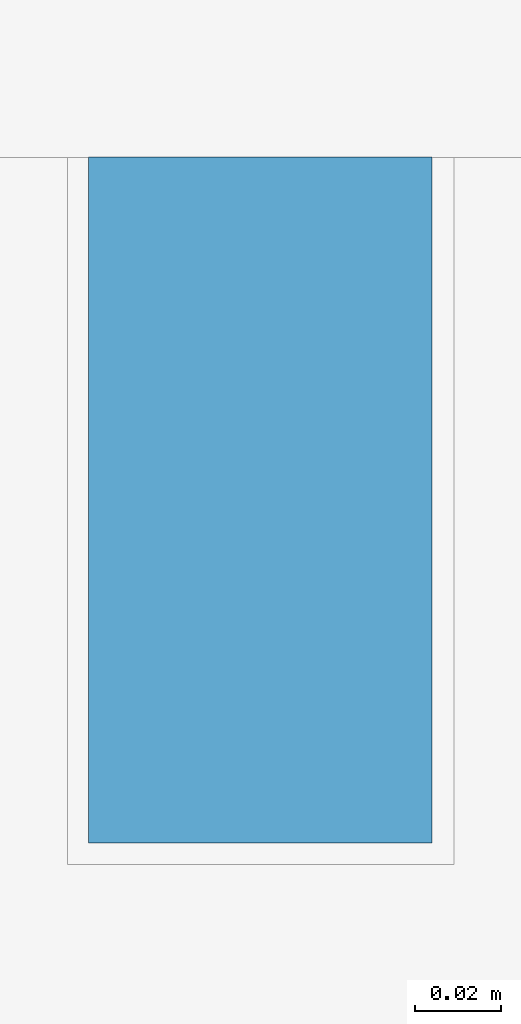
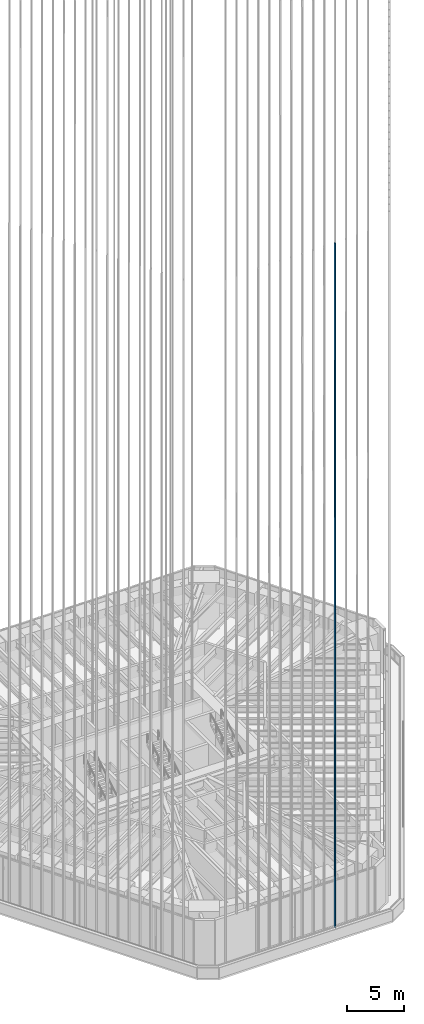
# One storey, part 69 of 228: 1 member, 1 element without a shape of its own.
"""IFC4 building model written with IfcOpenShell, lengths in metres."""

import ifcopenshell
import ifcopenshell.guid

model = None  # the IFC model being written
_history = None  # IfcOwnerHistory: only IFC2X3 demands one
_inside = {}  # id of a spatial element -> (the spatial element, [elements in it])
_under = {}  # id of a project, library or spatial element -> (it, [spatial elements below it])
_declared = {}  # id of a project -> (the project, [libraries it declares])
_typed = {}  # id of a type object -> (the type object, [elements of that type])
_made_of = {}  # id of a material, layer set ... -> (it, [elements and type objects made of it])


def new_model(schema):
    """Start an empty IFC model of exactly this schema.

    Asked for "IFC4X3", IfcOpenShell would pick the latest addendum, in which some entities
    have other attributes; the version numbers below select the first issue.
    IFC2X3 requires an IfcOwnerHistory on every rooted entity: one is made here for all.
    """
    global model, _history
    if schema == "IFC4X3":
        model = ifcopenshell.file(schema_version=(4, 3, 0, 0))
    else:
        model = ifcopenshell.file(schema=schema)
    _inside.clear()
    _under.clear()
    _declared.clear()
    _typed.clear()
    _made_of.clear()
    _history = None
    if model.schema == "IFC2X3":
        org = make("IfcOrganization", Name="unknown")
        user = make(
            "IfcPersonAndOrganization",
            ThePerson=make("IfcPerson", FamilyName="unknown"),
            TheOrganization=org,
        )
        app = make(
            "IfcApplication",
            ApplicationDeveloper=org,
            Version="unknown",
            ApplicationFullName="unknown",
            ApplicationIdentifier="unknown",
        )
        _history = make(
            "IfcOwnerHistory",
            OwningUser=user,
            OwningApplication=app,
            ChangeAction="ADDED",
            CreationDate=0,
        )
    return model


def make(cls, **values):
    """One entity of the class cls with the attributes given. An attribute that is None is left unset."""
    return model.create_entity(
        cls, **{name: value for name, value in values.items() if value is not None}
    )


def rooted(cls, **values):
    """An entity with a GlobalId (a new one), such as an element, a storey or a relation."""
    return make(cls, GlobalId=ifcopenshell.guid.new(), OwnerHistory=_history, **values)


def si_unit(unit_type, name, prefix=None):
    """IfcSIUnit, for example si_unit("LENGTHUNIT", "METRE", prefix="MILLI")."""
    return make("IfcSIUnit", UnitType=unit_type, Prefix=prefix, Name=name)


def assignment(units):
    """IfcUnitAssignment: the units of a project."""
    return None if units is None else make("IfcUnitAssignment", Units=units)


def point(xyz):
    """IfcCartesianPoint."""
    return None if xyz is None else make("IfcCartesianPoint", Coordinates=xyz)


def direction(xyz):
    """IfcDirection."""
    return None if xyz is None else make("IfcDirection", DirectionRatios=xyz)


def frame(location, z_axis=None, x_axis=None):
    """IfcAxis2Placement3D, a coordinate frame: its origin and axes. An axis left out is left unset."""
    return make(
        "IfcAxis2Placement3D",
        Location=point(location),
        Axis=direction(z_axis),
        RefDirection=direction(x_axis),
    )


def frame_2d(location, x_axis=None):
    """IfcAxis2Placement2D, a coordinate frame in the plane: its origin and x axis."""
    return make(
        "IfcAxis2Placement2D", Location=point(location), RefDirection=direction(x_axis)
    )


def origin():
    """The frame at (0, 0, 0) with its axes left unset."""
    return frame((0.0, 0.0, 0.0))


def origin_2d():
    """The frame at (0, 0) in the plane with its x axis left unset."""
    return frame_2d((0.0, 0.0))


def place(relative_to, where):
    """IfcLocalPlacement: puts the frame where relative to a parent placement (None: the world)."""
    return make(
        "IfcLocalPlacement", PlacementRelTo=relative_to, RelativePlacement=where
    )


def context(
    kind, dimensions, precision=None, world=None, true_north=None, identifier=None
):
    """IfcGeometricRepresentationContext, for example the 3D "Model" context."""
    return make(
        "IfcGeometricRepresentationContext",
        ContextIdentifier=identifier,
        ContextType=kind,
        CoordinateSpaceDimension=dimensions,
        Precision=precision,
        WorldCoordinateSystem=world,
        TrueNorth=true_north,
    )


def subcontext(parent, identifier, kind, view, scale=None):
    """IfcGeometricRepresentationSubContext, for example "Body" below "Model"."""
    return make(
        "IfcGeometricRepresentationSubContext",
        ContextIdentifier=identifier,
        ContextType=kind,
        ParentContext=parent,
        TargetScale=scale,
        TargetView=view,
    )


def project(units=None, contexts=None):
    """IfcProject with its units and contexts."""
    return rooted(
        "IfcProject",
        Name="project",
        RepresentationContexts=contexts,
        UnitsInContext=assignment(units),
    )


def spatial(cls, under=None, at=None, **own):
    """A site, building, storey or space (cls), placed at a placement, below another one or the project."""
    s = rooted(cls, ObjectPlacement=at, **own)
    if under is not None:
        _under.setdefault(under.id(), (under, []))[1].append(s)
    return s


def profile(cls, at=None, kind="AREA", **sizes):
    """A parametric profile (cls). Its sizes go by their IFC names, for example OverallWidth=200.0."""
    return make(cls, ProfileType=kind, Position=at, **sizes)


def rectangle(**sizes):
    """IfcRectangleProfileDef."""
    return profile("IfcRectangleProfileDef", **sizes)


def extrude(swept, where, along, depth):
    """IfcExtrudedAreaSolid: the profile swept, set in the frame where, extruded along a direction by depth."""
    return make(
        "IfcExtrudedAreaSolid",
        SweptArea=swept,
        Position=where,
        ExtrudedDirection=direction(along),
        Depth=depth,
    )


def shape(context_of_items, identifier, shape_type, items):
    """IfcShapeRepresentation: the items that make up one representation, for example the "Body"."""
    return make(
        "IfcShapeRepresentation",
        ContextOfItems=context_of_items,
        RepresentationIdentifier=identifier,
        RepresentationType=shape_type,
        Items=items,
    )


def material(Name=None, Category=None):
    """IfcMaterial."""
    return make("IfcMaterial", Name=Name, Category=Category)


def material_profile(
    of_material, cross_section, Name=None, Category=None, Priority=None
):
    """IfcMaterialProfile: a cross section and its material."""
    return make(
        "IfcMaterialProfile",
        Name=Name,
        Material=of_material,
        Profile=cross_section,
        Priority=Priority,
        Category=Category,
    )


def profile_set(profiles, Name=None, composite=None):
    """IfcMaterialProfileSet."""
    return make(
        "IfcMaterialProfileSet",
        Name=Name,
        MaterialProfiles=profiles,
        CompositeProfile=composite,
    )


def made_of(thing, what):
    """Note that an element or type object is made of a material, layer set ...; save() writes the relation."""
    if what is not None:
        _made_of.setdefault(what.id(), (what, []))[1].append(thing)
    return thing


def type_object(cls, material=None, **own):
    """A type object (cls), such as IfcWallType, which elements share."""
    return made_of(rooted(cls, **own), material)


def element(
    cls,
    number,
    at=None,
    inside=None,
    cuts=None,
    type_object=None,
    material=None,
    context=None,
    identifier="Body",
    shape_type=None,
    held_by="IfcProductDefinitionShape",
    body=None,
    shapes=None,
    **own,
):
    """One element of the class cls, such as IfcWall. Its Tag is "e" and its number.

    at: its placement. inside: the storey or other place that contains it. cuts: it is an
    opening in that element (IfcRelVoidsElement). A single representation is given by context,
    identifier, shape_type and body (its items); several are given by shapes. held_by: the class
    of the entity that holds the representations. save() writes the other relations.
    """
    e = rooted(cls, Tag="e%d" % number, ObjectPlacement=at, **own)
    if body is not None:
        shapes = [shape(context, identifier, shape_type, body)]
    if shapes is not None:
        e.Representation = make(held_by, Representations=shapes)
    if inside is not None:
        _inside.setdefault(inside.id(), (inside, []))[1].append(e)
    if cuts is not None:
        rooted(
            "IfcRelVoidsElement", RelatingBuildingElement=cuts, RelatedOpeningElement=e
        )
    if type_object is not None:
        _typed.setdefault(type_object.id(), (type_object, []))[1].append(e)
    return made_of(e, material)


def aggregate(whole, parts):
    """IfcRelAggregates: a whole, such as a stair, and the parts it consists of."""
    return rooted("IfcRelAggregates", RelatingObject=whole, RelatedObjects=parts)


def save(model, path):
    """Write the relations noted so far, then the file.

    IfcRelAggregates (storeys below a building ...), IfcRelContainedInSpatialStructure (elements
    in a storey), IfcRelDefinesByType, IfcRelAssociatesMaterial and IfcRelDeclares: one each for
    every whole, place, type object, material and project.
    """
    for whole, parts in _under.values():
        aggregate(whole, parts)
    for where, things in _inside.values():
        rooted(
            "IfcRelContainedInSpatialStructure",
            RelatedElements=things,
            RelatingStructure=where,
        )
    for kind, things in _typed.values():
        rooted("IfcRelDefinesByType", RelatedObjects=things, RelatingType=kind)
    for what, things in _made_of.values():
        rooted("IfcRelAssociatesMaterial", RelatedObjects=things, RelatingMaterial=what)
    for by, libraries in _declared.values():
        rooted("IfcRelDeclares", RelatingContext=by, RelatedDefinitions=libraries)
    model.write(path)


model = new_model("IFC4")

# Units and contexts
model_context = context("Model", 3, precision=1e-05, world=origin(), true_north=direction((0.0, 1.0)))
body_context = subcontext(model_context, "Body", "Model", "MODEL_VIEW")
ifc_project = project(units=[si_unit("LENGTHUNIT", "METRE"), si_unit("AREAUNIT", "SQUARE_METRE"), si_unit("VOLUMEUNIT", "CUBIC_METRE"), si_unit("PLANEANGLEUNIT", "RADIAN"), si_unit("MASSUNIT", "GRAM", prefix="KILO")], contexts=[model_context])

# Site, building, storey
site_placement = place(None, origin())
site = spatial("IfcSite", under=ifc_project, at=site_placement, CompositionType="ELEMENT")
building_placement = place(site_placement, origin())
building = spatial("IfcBuilding", under=site, at=building_placement, Name="Sandreach Pilgrim Tower", CompositionType="ELEMENT")
storey_placement = place(building_placement, frame((0.0, 0.0, 178.199951171875)))
storey = spatial("IfcBuildingStorey", under=building, at=storey_placement, Name="L44", CompositionType="ELEMENT", Elevation=178.199951171875)

# Curtain wall, member
ifc_material_1 = material(Name="Aluminium framed curtain wall", Category="aluminium")
curtain_wall_type = type_object("IfcCurtainWallType", Name="Upper hotel tower curtain wall", PredefinedType="NOTDEFINED", material=ifc_material_1)
curtain_wall_placement = place(storey_placement, origin())
curtain_wall = element("IfcCurtainWall", 1, at=curtain_wall_placement, inside=storey, type_object=curtain_wall_type, Name="CW-3 L44 SA", PredefinedType="NOTDEFINED")
ifc_material_2 = material(Name="Extruded terracotta on aluminium core", Category="masonry")
ifc_material_profile = material_profile(ifc_material_2, rectangle(XDim=0.080078125, YDim=0.159912109375, at=origin_2d()), Name="TBS 80X160")
ifc_profile_set = profile_set([ifc_material_profile], Name="Extruded terracotta on aluminium core")
member_type = type_object("IfcMemberType", Name="Terracotta baguette south", PredefinedType="USERDEFINED", material=ifc_profile_set)
member_placement = place(storey_placement, frame((3.881103515625, -26.905029296875, 0.0), z_axis=(0.0, 0.0, 1.0), x_axis=(-1.0, 0.0, 0.0)))
member = element("IfcMember", 2, at=member_placement, type_object=member_type, Name="Baguette Z3 S04", ObjectType="BAGUETTE", PredefinedType="USERDEFINED", context=body_context, shape_type="SweptSolid", body=[
    extrude(rectangle(XDim=0.080078125, YDim=0.159912109375, at=origin_2d()), origin(), (0.0, 0.0, 1.0), 73.239990234375),
])
aggregate(curtain_wall, [member])

save(model, "model.ifc")
